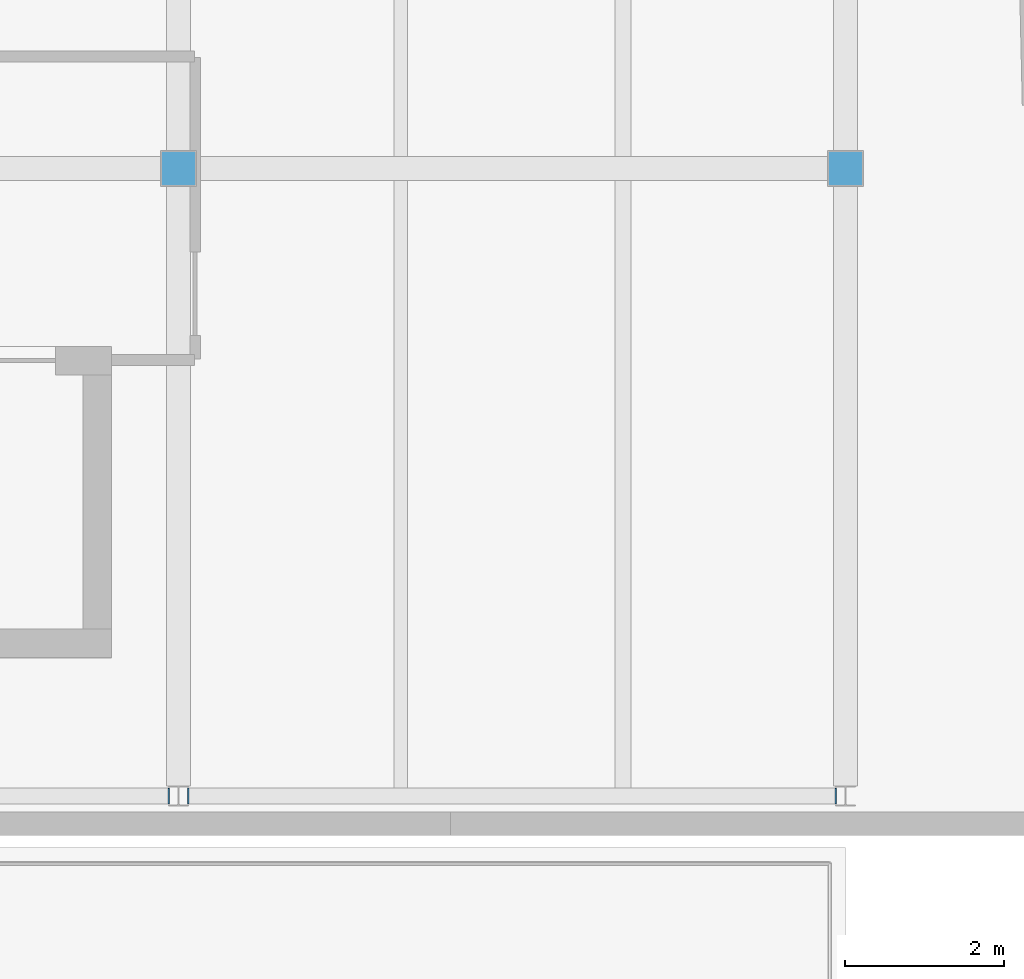
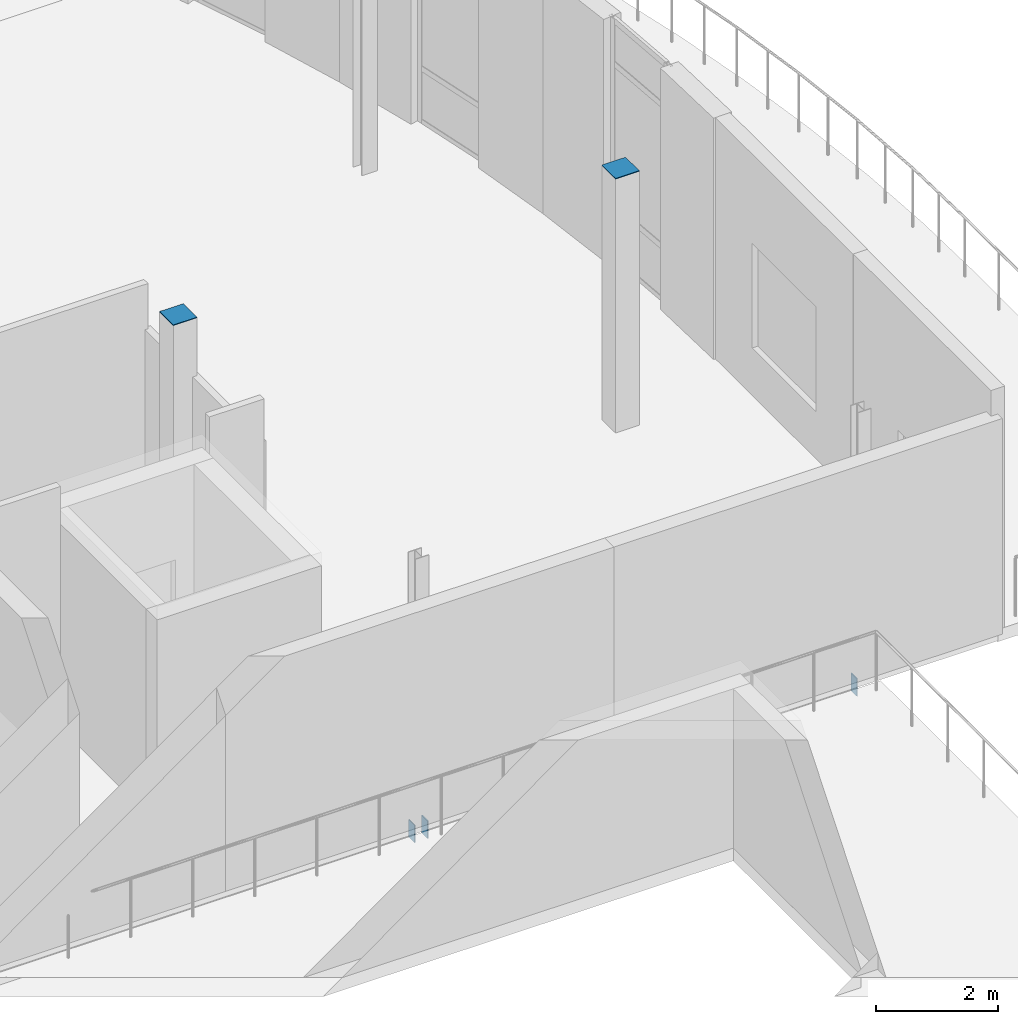
# One storey, part 48 of 57: 5 discrete accessories.
"""IFC4 building model written with IfcOpenShell, lengths in metres."""

import ifcopenshell
import ifcopenshell.guid

model = None  # the IFC model being written
_history = None  # IfcOwnerHistory: only IFC2X3 demands one
_inside = {}  # id of a spatial element -> (the spatial element, [elements in it])
_under = {}  # id of a project, library or spatial element -> (it, [spatial elements below it])
_declared = {}  # id of a project -> (the project, [libraries it declares])
_typed = {}  # id of a type object -> (the type object, [elements of that type])
_made_of = {}  # id of a material, layer set ... -> (it, [elements and type objects made of it])


def new_model(schema):
    """Start an empty IFC model of exactly this schema.

    Asked for "IFC4X3", IfcOpenShell would pick the latest addendum, in which some entities
    have other attributes; the version numbers below select the first issue.
    IFC2X3 requires an IfcOwnerHistory on every rooted entity: one is made here for all.
    """
    global model, _history
    if schema == "IFC4X3":
        model = ifcopenshell.file(schema_version=(4, 3, 0, 0))
    else:
        model = ifcopenshell.file(schema=schema)
    _inside.clear()
    _under.clear()
    _declared.clear()
    _typed.clear()
    _made_of.clear()
    _history = None
    if model.schema == "IFC2X3":
        org = make("IfcOrganization", Name="unknown")
        user = make(
            "IfcPersonAndOrganization",
            ThePerson=make("IfcPerson", FamilyName="unknown"),
            TheOrganization=org,
        )
        app = make(
            "IfcApplication",
            ApplicationDeveloper=org,
            Version="unknown",
            ApplicationFullName="unknown",
            ApplicationIdentifier="unknown",
        )
        _history = make(
            "IfcOwnerHistory",
            OwningUser=user,
            OwningApplication=app,
            ChangeAction="ADDED",
            CreationDate=0,
        )
    return model


def make(cls, **values):
    """One entity of the class cls with the attributes given. An attribute that is None is left unset."""
    return model.create_entity(
        cls, **{name: value for name, value in values.items() if value is not None}
    )


def rooted(cls, **values):
    """An entity with a GlobalId (a new one), such as an element, a storey or a relation."""
    return make(cls, GlobalId=ifcopenshell.guid.new(), OwnerHistory=_history, **values)


def si_unit(unit_type, name, prefix=None):
    """IfcSIUnit, for example si_unit("LENGTHUNIT", "METRE", prefix="MILLI")."""
    return make("IfcSIUnit", UnitType=unit_type, Prefix=prefix, Name=name)


def assignment(units):
    """IfcUnitAssignment: the units of a project."""
    return None if units is None else make("IfcUnitAssignment", Units=units)


def point(xyz):
    """IfcCartesianPoint."""
    return None if xyz is None else make("IfcCartesianPoint", Coordinates=xyz)


def direction(xyz):
    """IfcDirection."""
    return None if xyz is None else make("IfcDirection", DirectionRatios=xyz)


def frame(location, z_axis=None, x_axis=None):
    """IfcAxis2Placement3D, a coordinate frame: its origin and axes. An axis left out is left unset."""
    return make(
        "IfcAxis2Placement3D",
        Location=point(location),
        Axis=direction(z_axis),
        RefDirection=direction(x_axis),
    )


def frame_2d(location, x_axis=None):
    """IfcAxis2Placement2D, a coordinate frame in the plane: its origin and x axis."""
    return make(
        "IfcAxis2Placement2D", Location=point(location), RefDirection=direction(x_axis)
    )


def origin():
    """The frame at (0, 0, 0) with its axes left unset."""
    return frame((0.0, 0.0, 0.0))


def origin_2d():
    """The frame at (0, 0) in the plane with its x axis left unset."""
    return frame_2d((0.0, 0.0))


def place(relative_to, where):
    """IfcLocalPlacement: puts the frame where relative to a parent placement (None: the world)."""
    return make(
        "IfcLocalPlacement", PlacementRelTo=relative_to, RelativePlacement=where
    )


def context(
    kind, dimensions, precision=None, world=None, true_north=None, identifier=None
):
    """IfcGeometricRepresentationContext, for example the 3D "Model" context."""
    return make(
        "IfcGeometricRepresentationContext",
        ContextIdentifier=identifier,
        ContextType=kind,
        CoordinateSpaceDimension=dimensions,
        Precision=precision,
        WorldCoordinateSystem=world,
        TrueNorth=true_north,
    )


def subcontext(parent, identifier, kind, view, scale=None):
    """IfcGeometricRepresentationSubContext, for example "Body" below "Model"."""
    return make(
        "IfcGeometricRepresentationSubContext",
        ContextIdentifier=identifier,
        ContextType=kind,
        ParentContext=parent,
        TargetScale=scale,
        TargetView=view,
    )


def project(units=None, contexts=None):
    """IfcProject with its units and contexts."""
    return rooted(
        "IfcProject",
        Name="project",
        RepresentationContexts=contexts,
        UnitsInContext=assignment(units),
    )


def spatial(cls, under=None, at=None, **own):
    """A site, building, storey or space (cls), placed at a placement, below another one or the project."""
    s = rooted(cls, ObjectPlacement=at, **own)
    if under is not None:
        _under.setdefault(under.id(), (under, []))[1].append(s)
    return s


def profile(cls, at=None, kind="AREA", **sizes):
    """A parametric profile (cls). Its sizes go by their IFC names, for example OverallWidth=200.0."""
    return make(cls, ProfileType=kind, Position=at, **sizes)


def rectangle(**sizes):
    """IfcRectangleProfileDef."""
    return profile("IfcRectangleProfileDef", **sizes)


def extrude(swept, where, along, depth):
    """IfcExtrudedAreaSolid: the profile swept, set in the frame where, extruded along a direction by depth."""
    return make(
        "IfcExtrudedAreaSolid",
        SweptArea=swept,
        Position=where,
        ExtrudedDirection=direction(along),
        Depth=depth,
    )


def shape(context_of_items, identifier, shape_type, items):
    """IfcShapeRepresentation: the items that make up one representation, for example the "Body"."""
    return make(
        "IfcShapeRepresentation",
        ContextOfItems=context_of_items,
        RepresentationIdentifier=identifier,
        RepresentationType=shape_type,
        Items=items,
    )


def material(Name=None, Category=None):
    """IfcMaterial."""
    return make("IfcMaterial", Name=Name, Category=Category)


def made_of(thing, what):
    """Note that an element or type object is made of a material, layer set ...; save() writes the relation."""
    if what is not None:
        _made_of.setdefault(what.id(), (what, []))[1].append(thing)
    return thing


def type_object(cls, material=None, **own):
    """A type object (cls), such as IfcWallType, which elements share."""
    return made_of(rooted(cls, **own), material)


def element(
    cls,
    number,
    at=None,
    inside=None,
    cuts=None,
    type_object=None,
    material=None,
    context=None,
    identifier="Body",
    shape_type=None,
    held_by="IfcProductDefinitionShape",
    body=None,
    shapes=None,
    **own,
):
    """One element of the class cls, such as IfcWall. Its Tag is "e" and its number.

    at: its placement. inside: the storey or other place that contains it. cuts: it is an
    opening in that element (IfcRelVoidsElement). A single representation is given by context,
    identifier, shape_type and body (its items); several are given by shapes. held_by: the class
    of the entity that holds the representations. save() writes the other relations.
    """
    e = rooted(cls, Tag="e%d" % number, ObjectPlacement=at, **own)
    if body is not None:
        shapes = [shape(context, identifier, shape_type, body)]
    if shapes is not None:
        e.Representation = make(held_by, Representations=shapes)
    if inside is not None:
        _inside.setdefault(inside.id(), (inside, []))[1].append(e)
    if cuts is not None:
        rooted(
            "IfcRelVoidsElement", RelatingBuildingElement=cuts, RelatedOpeningElement=e
        )
    if type_object is not None:
        _typed.setdefault(type_object.id(), (type_object, []))[1].append(e)
    return made_of(e, material)


def aggregate(whole, parts):
    """IfcRelAggregates: a whole, such as a stair, and the parts it consists of."""
    return rooted("IfcRelAggregates", RelatingObject=whole, RelatedObjects=parts)


def save(model, path):
    """Write the relations noted so far, then the file.

    IfcRelAggregates (storeys below a building ...), IfcRelContainedInSpatialStructure (elements
    in a storey), IfcRelDefinesByType, IfcRelAssociatesMaterial and IfcRelDeclares: one each for
    every whole, place, type object, material and project.
    """
    for whole, parts in _under.values():
        aggregate(whole, parts)
    for where, things in _inside.values():
        rooted(
            "IfcRelContainedInSpatialStructure",
            RelatedElements=things,
            RelatingStructure=where,
        )
    for kind, things in _typed.values():
        rooted("IfcRelDefinesByType", RelatedObjects=things, RelatingType=kind)
    for what, things in _made_of.values():
        rooted("IfcRelAssociatesMaterial", RelatedObjects=things, RelatingMaterial=what)
    for by, libraries in _declared.values():
        rooted("IfcRelDeclares", RelatingContext=by, RelatedDefinitions=libraries)
    model.write(path)


model = new_model("IFC4")

# Units and contexts
model_context = context("Model", 3, precision=1e-05, world=origin(), true_north=direction((0.0, 1.0)))
body_context = subcontext(model_context, "Body", "Model", "MODEL_VIEW")
ifc_project = project(units=[si_unit("LENGTHUNIT", "METRE"), si_unit("AREAUNIT", "SQUARE_METRE"), si_unit("VOLUMEUNIT", "CUBIC_METRE"), si_unit("PLANEANGLEUNIT", "RADIAN"), si_unit("MASSUNIT", "GRAM", prefix="KILO"), si_unit("THERMODYNAMICTEMPERATUREUNIT", "KELVIN")], contexts=[model_context])

# Site, building, storey
site_placement = place(None, origin())
site = spatial("IfcSite", under=ifc_project, at=site_placement, CompositionType="ELEMENT")
building_placement = place(site_placement, origin())
building = spatial("IfcBuilding", under=site, at=building_placement, Name="Lustrewick Department Store", CompositionType="ELEMENT")
storey_placement = place(building_placement, frame((0.0, 0.0, 26.699951171875)))
storey = spatial("IfcBuildingStorey", under=building, at=storey_placement, Name="L06", CompositionType="ELEMENT", Elevation=26.699951171875)

# Discrete accessories
ifc_material = material(Name="Structural steel Q355C", Category="steel")
discrete_accessory_type = type_object("IfcDiscreteAccessoryType", Name="ECP-01", PredefinedType="USERDEFINED", material=ifc_material)
discrete_accessory_1_placement = place(storey_placement, frame((142.800048828125, 58.800048828125, 5.093994140625), z_axis=(0.0, 0.0, 1.0), x_axis=(1.0, 0.0, 0.0)))
element("IfcDiscreteAccessory", 1, at=discrete_accessory_1_placement, inside=storey, type_object=discrete_accessory_type, Name="L06 Welded Hollow-Section End-Cap Plate ECP-01", ObjectType="END_CAP_PLATE", PredefinedType="USERDEFINED", context=body_context, shape_type="SweptSolid", body=[
    extrude(rectangle(XDim=0.449951171875, YDim=0.449951171875, at=origin_2d()), origin(), (0.0, 0.0, 1.0), 0.01611328125),
])
for number, where, z_axis, x_axis, name in (
    (2, (151.06884765625, 50.89990234375, -0.429931640625), (1.0, 0.0, 0.0), (0.0, 1.0, 0.0), "L06 Welded Hollow-Section End-Cap Plate ECP-01"),
    (3, (142.93115234375, 50.89990234375, -0.429931640625), (-1.0, 0.0, 0.0), (0.0, 1.0, 0.0), "L06 Welded Hollow-Section End-Cap Plate ECP-01"),
):
    element("IfcDiscreteAccessory", number, at=place(storey_placement, frame(where, z_axis=z_axis, x_axis=x_axis)), inside=storey, type_object=discrete_accessory_type, Name=name, ObjectType="END_CAP_PLATE", PredefinedType="USERDEFINED", context=body_context, shape_type="SweptSolid", body=[
        extrude(rectangle(XDim=0.199951171875, YDim=0.35009765625, at=origin_2d()), origin(), (0.0, 0.0, 1.0), 0.01611328125),
    ])
discrete_accessory_2_placement = place(storey_placement, frame((151.199951171875, 58.800048828125, 5.093994140625), z_axis=(0.0, 0.0, 1.0), x_axis=(1.0, 0.0, 0.0)))
element("IfcDiscreteAccessory", 4, at=discrete_accessory_2_placement, inside=storey, type_object=discrete_accessory_type, Name="L06 Welded Hollow-Section End-Cap Plate ECP-01", ObjectType="END_CAP_PLATE", PredefinedType="USERDEFINED", context=body_context, shape_type="SweptSolid", body=[
    extrude(rectangle(XDim=0.449951171875, YDim=0.449951171875, at=origin_2d()), origin(), (0.0, 0.0, 1.0), 0.01611328125),
])
discrete_accessory_3_placement = place(storey_placement, frame((142.6689453125, 50.89990234375, -0.429931640625), z_axis=(1.0, 0.0, 0.0), x_axis=(0.0, 1.0, 0.0)))
element("IfcDiscreteAccessory", 5, at=discrete_accessory_3_placement, inside=storey, type_object=discrete_accessory_type, Name="L06 Welded Hollow-Section End-Cap Plate ECP-01", ObjectType="END_CAP_PLATE", PredefinedType="USERDEFINED", context=body_context, shape_type="SweptSolid", body=[
    extrude(rectangle(XDim=0.199951171875, YDim=0.35009765625, at=origin_2d()), origin(), (0.0, 0.0, 1.0), 0.01611328125),
])

save(model, "model.ifc")
